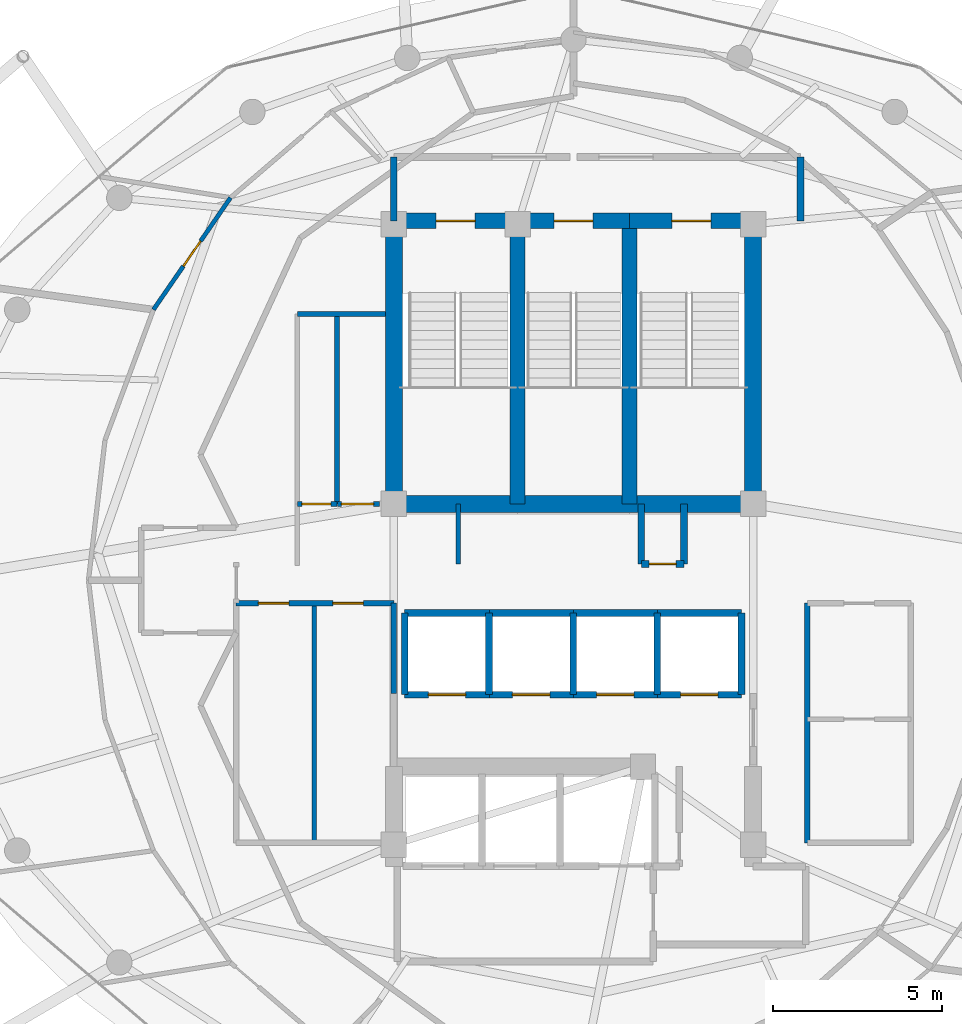
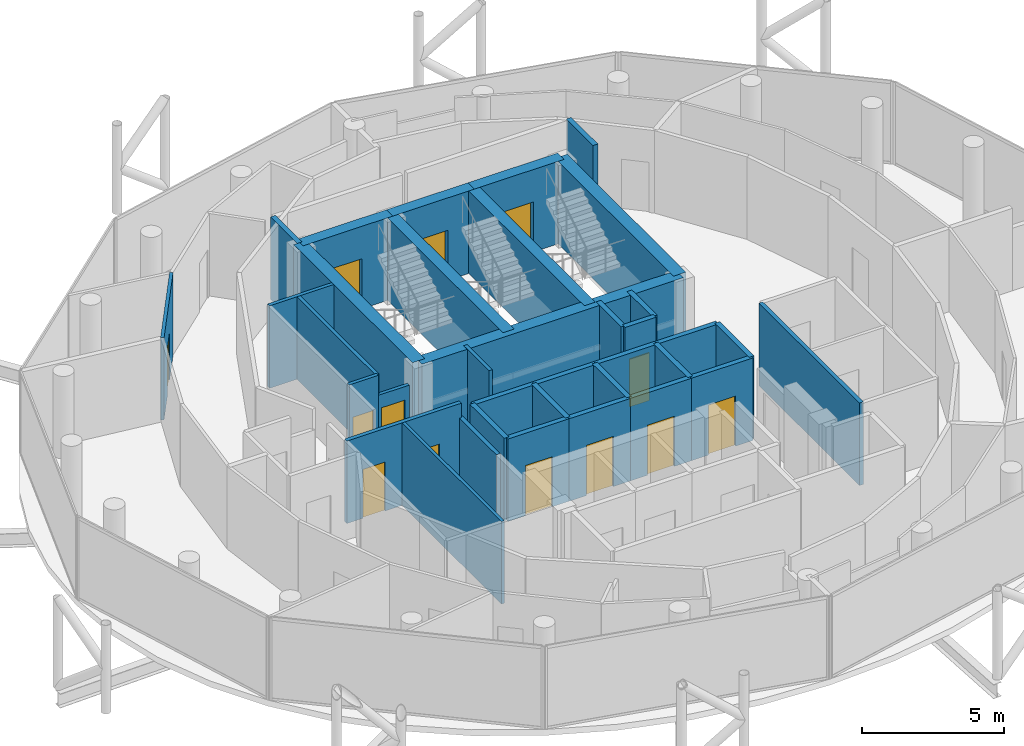
# One storey, part 21 of 24: 36 walls, 13 doors, 13 openings.
"""IFC4 building model written with IfcOpenShell, lengths in metres."""

from ifc_helpers import new_model, si_unit, direction, frame, frame_2d, origin, place, context, subcontext, project, spatial, rectangle, extrude, material, layer, layer_set, type_object, element, fill, save


model = new_model("IFC4")

# Units and contexts
model_context = context("Model", 3, precision=1e-05, world=origin(), true_north=direction((0.0, 1.0)))
body_context = subcontext(model_context, "Body", "Model", "MODEL_VIEW")
ifc_project = project(units=[si_unit("LENGTHUNIT", "METRE"), si_unit("AREAUNIT", "SQUARE_METRE"), si_unit("VOLUMEUNIT", "CUBIC_METRE"), si_unit("PLANEANGLEUNIT", "RADIAN"), si_unit("MASSUNIT", "GRAM", prefix="KILO")], contexts=[model_context])

# Site, building, storey
site_placement = place(None, origin())
site = spatial("IfcSite", under=ifc_project, at=site_placement, CompositionType="ELEMENT")
building_placement = place(site_placement, origin())
building = spatial("IfcBuilding", under=site, at=building_placement, Name="Nuhasar Tower", CompositionType="ELEMENT")
storey_placement = place(building_placement, frame((0.0, 0.0, 267.0)))
storey = spatial("IfcBuildingStorey", under=building, at=storey_placement, Name="L66", CompositionType="ELEMENT", Elevation=267.0)

# Wall, opening, door
ifc_material_1 = material(Name="Concrete C50/60", Category="concrete")
ifc_layer_1 = layer(ifc_material_1, 0.449951171875)
ifc_layer_set_1 = layer_set([ifc_layer_1], Name="Concrete C50/60")
wall_type_1 = type_object("IfcWallType", Name="WL-CORE-450", PredefinedType="SHEAR", material=ifc_layer_set_1)
wall_1_placement = place(storey_placement, frame((37.35009765625, 37.39990234375, 0.0), z_axis=(0.0, 0.0, 1.0), x_axis=(-1.0, 0.0, 0.0)))
wall_1 = element("IfcWall", 1, at=wall_1_placement, inside=storey, type_object=wall_type_1, Name="L66 Stairwell Shear Wall ST01-N", PredefinedType="SHEAR", context=body_context, shape_type="SweptSolid", body=[
    extrude(rectangle(XDim=3.650146484375, YDim=0.449951171875, at=frame_2d((1.8251953125, 0.0))), origin(), (0.0, 0.0, 1.0), 3.5400390625),
])
opening_1_placement = place(wall_1_placement, frame((1.25, 0.0, 0.0)))
opening_1 = element("IfcOpeningElement", 2, at=opening_1_placement, cuts=wall_1, Name="Opening DS-01", PredefinedType="OPENING", context=body_context, shape_type="SweptSolid", body=[
    extrude(rectangle(XDim=1.14990234375, YDim=2.14990234375, at=frame_2d((0.574951171875, 1.074951171875))), frame((0.0, 0.23486328125, 0.0), z_axis=(0.0, -1.0, 0.0), x_axis=(1.0, 0.0, 0.0)), (0.0, 0.0, 1.0), 0.469970703125),
])
ifc_material_2 = material(Name="Steel S355", Category="steel")
door_type_1 = type_object("IfcDoorType", Name="DR-STAIR-FD120-1150", OperationType="NOTDEFINED", PredefinedType="DOOR", material=ifc_material_2)
door_1_placement = place(opening_1_placement, origin())
door_1 = element("IfcDoor", 3, at=door_1_placement, inside=storey, type_object=door_type_1, Name="L66 Exit Stair ST-01 Door", OperationType="SINGLE_SWING_RIGHT", OverallHeight=2.14990234375, OverallWidth=1.14990234375, PredefinedType="DOOR", context=body_context, shape_type="SweptSolid", body=[
    extrude(rectangle(XDim=1.14990234375, YDim=2.14990234375, at=frame_2d((0.574951171875, 1.074951171875))), frame((0.0, 0.02490234375, 0.0), z_axis=(0.0, -1.0, 0.0), x_axis=(1.0, 0.0, 0.0)), (0.0, 0.0, 1.0), 0.050048828125),
])
fill(opening_1, door_1)

# Wall
wall_2_placement = place(storey_placement, frame((37.35009765625, 29.050048828125, 0.0), z_axis=(0.0, 0.0, 1.0), x_axis=(0.0, 1.0, 0.0)))
element("IfcWall", 4, at=wall_2_placement, inside=storey, type_object=wall_type_1, Name="L66 Stairwell Shear Wall ST01-E", PredefinedType="SHEAR", context=body_context, shape_type="SweptSolid", body=[
    extrude(rectangle(XDim=8.349853515625, YDim=0.449951171875, at=frame_2d((4.1748046875, 0.0))), origin(), (0.0, 0.0, 1.0), 3.5400390625),
])

# Wall, opening, door
wall_3_placement = place(storey_placement, frame((40.64990234375, 37.39990234375, 0.0), z_axis=(0.0, 0.0, 1.0), x_axis=(-1.0, 0.0, 0.0)))
wall_3 = element("IfcWall", 5, at=wall_3_placement, inside=storey, type_object=wall_type_1, Name="L66 Stairwell Shear Wall ST03-N", PredefinedType="SHEAR", context=body_context, shape_type="SweptSolid", body=[
    extrude(rectangle(XDim=3.2998046875, YDim=0.449951171875, at=frame_2d((1.64990234375, 0.0))), origin(), (0.0, 0.0, 1.0), 3.5400390625),
])
opening_2_placement = place(wall_3_placement, frame((1.074951171875, 0.0, 0.0)))
opening_2 = element("IfcOpeningElement", 6, at=opening_2_placement, cuts=wall_3, Name="Opening DS-01", PredefinedType="OPENING", context=body_context, shape_type="SweptSolid", body=[
    extrude(rectangle(XDim=1.14990234375, YDim=2.14990234375, at=frame_2d((0.574951171875, 1.074951171875))), frame((0.0, 0.23486328125, 0.0), z_axis=(0.0, -1.0, 0.0), x_axis=(1.0, 0.0, 0.0)), (0.0, 0.0, 1.0), 0.469970703125),
])
door_2_placement = place(opening_2_placement, origin())
door_2 = element("IfcDoor", 7, at=door_2_placement, inside=storey, type_object=door_type_1, Name="L66 Exit Stair ST-03 Door", OperationType="SINGLE_SWING_RIGHT", OverallHeight=2.14990234375, OverallWidth=1.14990234375, PredefinedType="DOOR", context=body_context, shape_type="SweptSolid", body=[
    extrude(rectangle(XDim=1.14990234375, YDim=2.14990234375, at=frame_2d((0.574951171875, 1.074951171875))), frame((0.0, 0.02490234375, 0.0), z_axis=(0.0, -1.0, 0.0), x_axis=(1.0, 0.0, 0.0)), (0.0, 0.0, 1.0), 0.050048828125),
])
fill(opening_2, door_2)

# Wall
wall_4_placement = place(storey_placement, frame((40.64990234375, 29.050048828125, 0.0), z_axis=(0.0, 0.0, 1.0), x_axis=(0.0, 1.0, 0.0)))
element("IfcWall", 8, at=wall_4_placement, inside=storey, type_object=wall_type_1, Name="L66 Stairwell Shear Wall ST03-E", PredefinedType="SHEAR", context=body_context, shape_type="SweptSolid", body=[
    extrude(rectangle(XDim=8.349853515625, YDim=0.449951171875, at=frame_2d((4.1748046875, 0.0))), origin(), (0.0, 0.0, 1.0), 3.5400390625),
])

# Wall, opening, door
wall_5_placement = place(storey_placement, frame((44.300048828125, 37.39990234375, 0.0), z_axis=(0.0, 0.0, 1.0), x_axis=(-1.0, 0.0, 0.0)))
wall_5 = element("IfcWall", 9, at=wall_5_placement, inside=storey, type_object=wall_type_1, Name="L66 Stairwell Shear Wall ST02-N", PredefinedType="SHEAR", context=body_context, shape_type="SweptSolid", body=[
    extrude(rectangle(XDim=3.650146484375, YDim=0.449951171875, at=frame_2d((1.8251953125, 0.0))), origin(), (0.0, 0.0, 1.0), 3.5400390625),
])
opening_3_placement = place(wall_5_placement, frame((1.25, 0.0, 0.0)))
opening_3 = element("IfcOpeningElement", 10, at=opening_3_placement, cuts=wall_5, Name="Opening DS-01", PredefinedType="OPENING", context=body_context, shape_type="SweptSolid", body=[
    extrude(rectangle(XDim=1.14990234375, YDim=2.14990234375, at=frame_2d((0.574951171875, 1.074951171875))), frame((0.0, 0.23486328125, 0.0), z_axis=(0.0, -1.0, 0.0), x_axis=(1.0, 0.0, 0.0)), (0.0, 0.0, 1.0), 0.469970703125),
])
door_3_placement = place(opening_3_placement, origin())
door_3 = element("IfcDoor", 11, at=door_3_placement, inside=storey, type_object=door_type_1, Name="L66 Exit Stair ST-02 Door", OperationType="SINGLE_SWING_LEFT", OverallHeight=2.14990234375, OverallWidth=1.14990234375, PredefinedType="DOOR", context=body_context, shape_type="SweptSolid", body=[
    extrude(rectangle(XDim=1.14990234375, YDim=2.14990234375, at=frame_2d((0.574951171875, 1.074951171875))), frame((0.0, 0.02490234375, 0.0), z_axis=(0.0, -1.0, 0.0), x_axis=(1.0, 0.0, 0.0)), (0.0, 0.0, 1.0), 0.050048828125),
])
fill(opening_3, door_3)

# Walls
ifc_layer_2 = layer(ifc_material_1, 0.5)
ifc_layer_set_2 = layer_set([ifc_layer_2], Name="Concrete C50/60")
wall_type_2 = type_object("IfcWallType", Name="WL-CORE-500", PredefinedType="SHEAR", material=ifc_layer_set_2)
for number, where, z_axis, x_axis, name in (
    (12, (33.699951171875, 29.050048828125, 0.0), (0.0, 0.0, 1.0), (0.0, 1.0, 0.0), "L66 Core Shear Wall CW-NW CW-500"),
    (13, (44.300048828125, 29.050048828125, 0.0), (0.0, 0.0, 1.0), (0.0, 1.0, 0.0), "L66 Core Shear Wall CW-NE CW-500"),
):
    element("IfcWall", number, at=place(storey_placement, frame(where, z_axis=z_axis, x_axis=x_axis)), inside=storey, type_object=wall_type_2, Name=name, PredefinedType="SHEAR", context=body_context, shape_type="SweptSolid", body=[
        extrude(rectangle(XDim=8.349853515625, YDim=0.5, at=frame_2d((4.1748046875, 0.0))), origin(), (0.0, 0.0, 1.0), 3.5400390625),
    ])
wall_6_placement = place(storey_placement, frame((33.699951171875, 29.050048828125, 0.0), z_axis=(0.0, 0.0, 1.0), x_axis=(1.0, 0.0, 0.0)))
element("IfcWall", 14, at=wall_6_placement, inside=storey, type_object=wall_type_2, Name="L66 Core Shear Wall CW-N1 CW-500", PredefinedType="SHEAR", context=body_context, shape_type="SweptSolid", body=[
    extrude(rectangle(XDim=10.60009765625, YDim=0.5, at=frame_2d((5.300048828125, 0.0))), origin(), (0.0, 0.0, 1.0), 3.5400390625),
])
ifc_material_3 = material(Name="Gypsum Board", Category="gypsum")
ifc_layer_3 = layer(ifc_material_3, 0.159912109375)
ifc_layer_set_3 = layer_set([ifc_layer_3], Name="Gypsum Board")
wall_type_3 = type_object("IfcWallType", Name="WL-CORR-160", PredefinedType="PARTITIONING", material=ifc_layer_set_3)
wall_7_placement = place(storey_placement, frame((33.699951171875, 23.449951171875, 0.0), z_axis=(0.0, 0.0, 1.0), x_axis=(0.0, 1.0, 0.0)))
element("IfcWall", 15, at=wall_7_placement, inside=storey, type_object=wall_type_3, Name="L66 Interior Partition RECL-B1-E", PredefinedType="PARTITIONING", context=body_context, shape_type="SweptSolid", body=[
    extrude(rectangle(XDim=2.670166015625, YDim=0.159912109375, at=frame_2d((1.3349609375, 0.0))), origin(), (0.0, 0.0, 1.0), 2.925048828125),
])

# Wall, openings, doors
wall_8_placement = place(storey_placement, frame((33.699951171875, 26.1201171875, 0.0), z_axis=(0.0, 0.0, 1.0), x_axis=(-1.0, 0.0, 0.0)))
wall_8 = element("IfcWall", 16, at=wall_8_placement, inside=storey, type_object=wall_type_3, Name="L66 Interior Partition RECL-B1-N", PredefinedType="PARTITIONING", context=body_context, shape_type="SweptSolid", body=[
    extrude(rectangle(XDim=4.64990234375, YDim=0.159912109375, at=frame_2d((2.324951171875, 0.0))), origin(), (0.0, 0.0, 1.0), 3.5400390625),
])
opening_4_placement = place(wall_8_placement, frame((3.10009765625, 0.0, 0.0)))
opening_4 = element("IfcOpeningElement", 17, at=opening_4_placement, cuts=wall_8, Name="Opening DR-01", PredefinedType="OPENING", context=body_context, shape_type="SweptSolid", body=[
    extrude(rectangle(XDim=0.89990234375, YDim=2.10009765625, at=frame_2d((0.449951171875, 1.050048828125))), frame((0.0, 0.08984375, 0.0), z_axis=(0.0, -1.0, 0.0), x_axis=(1.0, 0.0, 0.0)), (0.0, 0.0, 1.0), 0.179931640625),
])
opening_5_placement = place(wall_8_placement, frame((0.89990234375, 0.0, 0.0)))
opening_5 = element("IfcOpeningElement", 18, at=opening_5_placement, cuts=wall_8, Name="Opening DR-01", PredefinedType="OPENING", context=body_context, shape_type="SweptSolid", body=[
    extrude(rectangle(XDim=0.89990234375, YDim=2.10009765625, at=frame_2d((0.449951171875, 1.050048828125))), frame((0.0, 0.08984375, 0.0), z_axis=(0.0, -1.0, 0.0), x_axis=(1.0, 0.0, 0.0)), (0.0, 0.0, 1.0), 0.179931640625),
])
ifc_material_4 = material(Name="Timber Oak", Category="wood")
door_type_2 = type_object("IfcDoorType", Name="DR-ROOM-900", OperationType="NOTDEFINED", PredefinedType="DOOR", material=ifc_material_4)
door_4_placement = place(opening_4_placement, origin())
door_4 = element("IfcDoor", 19, at=door_4_placement, inside=storey, type_object=door_type_2, Name="L66 Housekeeping Door", OperationType="SINGLE_SWING_RIGHT", OverallHeight=2.10009765625, OverallWidth=0.89990234375, PredefinedType="DOOR", context=body_context, shape_type="SweptSolid", body=[
    extrude(rectangle(XDim=0.89990234375, YDim=2.10009765625, at=frame_2d((0.449951171875, 1.050048828125))), frame((0.0, 0.02490234375, 0.0), z_axis=(0.0, -1.0, 0.0), x_axis=(1.0, 0.0, 0.0)), (0.0, 0.0, 1.0), 0.050048828125),
])
fill(opening_4, door_4)
door_5_placement = place(opening_5_placement, origin())
door_5 = element("IfcDoor", 20, at=door_5_placement, inside=storey, type_object=door_type_2, Name="L66 Valet Pantry Door", OperationType="SINGLE_SWING_LEFT", OverallHeight=2.10009765625, OverallWidth=0.89990234375, PredefinedType="DOOR", context=body_context, shape_type="SweptSolid", body=[
    extrude(rectangle(XDim=0.89990234375, YDim=2.10009765625, at=frame_2d((0.449951171875, 1.050048828125))), frame((0.0, 0.02490234375, 0.0), z_axis=(0.0, -1.0, 0.0), x_axis=(1.0, 0.0, 0.0)), (0.0, 0.0, 1.0), 0.050048828125),
])
fill(opening_5, door_5)

# Walls
wall_9_placement = place(storey_placement, frame((45.89990234375, 19.050048828125, 0.0), z_axis=(0.0, 0.0, 1.0), x_axis=(0.0, 1.0, 0.0)))
element("IfcWall", 21, at=wall_9_placement, inside=storey, type_object=wall_type_3, Name="L66 Interior Partition RECL-B2-W", PredefinedType="PARTITIONING", context=body_context, shape_type="SweptSolid", body=[
    extrude(rectangle(XDim=7.070068359375, YDim=0.159912109375, at=frame_2d((3.53515625, 0.0))), origin(), (0.0, 0.0, 1.0), 3.5400390625),
])
ifc_material_5 = material(Name="Concrete C45/55", Category="concrete")
ifc_layer_4 = layer(ifc_material_5, 0.199951171875)
ifc_layer_set_4 = layer_set([ifc_layer_4], Name="Concrete C45/55")
wall_type_4 = type_object("IfcWallType", Name="WL-LOBBY-200", PredefinedType="SOLIDWALL", material=ifc_layer_set_4)
for number, where, z_axis, x_axis, name in (
    (22, (33.699951171875, 37.39990234375, 0.0), (0.0, 0.0, 1.0), (0.0, 1.0, 0.0), "L66 Interior Partition NSL-W"),
    (23, (45.699951171875, 37.39990234375, 0.0), (0.0, 0.0, 1.0), (0.0, 1.0, 0.0), "L66 Interior Partition NSL-E"),
):
    element("IfcWall", number, at=place(storey_placement, frame(where, z_axis=z_axis, x_axis=x_axis)), inside=storey, type_object=wall_type_4, Name=name, PredefinedType="SOLIDWALL", context=body_context, shape_type="SweptSolid", body=[
        extrude(rectangle(XDim=1.880126953125, YDim=0.199951171875, at=frame_2d((0.93994140625, 0.0))), origin(), (0.0, 0.0, 1.0), 3.5400390625),
    ])
ifc_layer_5 = layer(ifc_material_3, 0.125)
ifc_layer_set_5 = layer_set([ifc_layer_5], Name="Gypsum Board")
wall_type_5 = type_object("IfcWallType", Name="WL-PART-125", PredefinedType="PARTITIONING", material=ifc_layer_set_5)
wall_10_placement = place(storey_placement, frame((31.35009765625, 19.050048828125, 0.0), z_axis=(0.0, 0.0, 1.0), x_axis=(0.0, 1.0, 0.0)))
element("IfcWall", 24, at=wall_10_placement, inside=storey, type_object=wall_type_5, Name="L66 Interior Partition RECL-B1-V", PredefinedType="PARTITIONING", context=body_context, shape_type="SweptSolid", body=[
    extrude(rectangle(XDim=7.070068359375, YDim=0.125, at=frame_2d((3.53515625, 0.0))), origin(), (0.0, 0.0, 1.0), 3.5400390625),
])

# Wall, opening, door
wall_11_placement = place(storey_placement, frame((26.60693359375, 34.780029296875, 0.0), z_axis=(0.0, 0.0, 1.0), x_axis=(0.566872278325, 0.82380569315, 0.0)))
wall_11 = element("IfcWall", 25, at=wall_11_placement, inside=storey, type_object=wall_type_5, Name="L66 Interior Partition USM-1-D-18", PredefinedType="PARTITIONING", context=body_context, shape_type="SweptSolid", body=[
    extrude(rectangle(XDim=4.01171875, YDim=0.125, at=frame_2d((2.005859375, 0.0))), origin(), (0.0, 0.0, 1.0), 3.5400390625),
])
opening_6_placement = place(wall_11_placement, frame((1.555908203125, 0.0, 0.0)))
opening_6 = element("IfcOpeningElement", 26, at=opening_6_placement, cuts=wall_11, Name="Opening DR-01", PredefinedType="OPENING", context=body_context, shape_type="SweptSolid", body=[
    extrude(rectangle(XDim=0.89990234375, YDim=2.10009765625, at=frame_2d((0.449951171875, 1.050048828125))), frame((0.0, 0.072509765625, 0.0), z_axis=(0.0, -1.0, 0.0), x_axis=(1.0, 0.0, 0.0)), (0.0, 0.0, 1.0), 0.14501953125),
])
door_6_placement = place(opening_6_placement, origin())
door_6 = element("IfcDoor", 27, at=door_6_placement, inside=storey, type_object=door_type_2, Name="L66 North-West Sky Home Living Door", OperationType="SINGLE_SWING_RIGHT", OverallHeight=2.10009765625, OverallWidth=0.89990234375, PredefinedType="DOOR", context=body_context, shape_type="SweptSolid", body=[
    extrude(rectangle(XDim=0.89990234375, YDim=2.10009765625, at=frame_2d((0.449951171875, 1.050048828125))), frame((0.0, 0.02490234375, 0.0), z_axis=(0.0, -1.0, 0.0), x_axis=(1.0, 0.0, 0.0)), (0.0, 0.0, 1.0), 0.050048828125),
])
fill(opening_6, door_6)

# Walls
ifc_layer_6 = layer(ifc_material_5, 0.199951171875)
ifc_layer_set_6 = layer_set([ifc_layer_6], Name="Concrete C45/55")
wall_type_6 = type_object("IfcWallType", Name="WL-SHAFT-200", PredefinedType="SOLIDWALL", material=ifc_layer_set_6)
for number, where, z_axis, x_axis, name in (
    (28, (41.0, 27.280029296875, 0.0), (0.0, 0.0, 1.0), (0.0, 1.0, 0.0), "L66 Interior Partition RSRN-W"),
    (29, (42.260009765625, 27.280029296875, 0.0), (0.0, 0.0, 1.0), (0.0, 1.0, 0.0), "L66 Interior Partition RSRN-E"),
):
    element("IfcWall", number, at=place(storey_placement, frame(where, z_axis=z_axis, x_axis=x_axis)), inside=storey, type_object=wall_type_6, Name=name, PredefinedType="SOLIDWALL", context=body_context, shape_type="SweptSolid", body=[
        extrude(rectangle(XDim=1.77001953125, YDim=0.199951171875, at=frame_2d((0.885009765625, 0.0))), origin(), (0.0, 0.0, 1.0), 3.5400390625),
    ])

# Wall, opening, door
wall_12_placement = place(storey_placement, frame((41.0, 27.280029296875, 0.0), z_axis=(0.0, 0.0, 1.0), x_axis=(1.0, 0.0, 0.0)))
wall_12 = element("IfcWall", 30, at=wall_12_placement, inside=storey, type_object=wall_type_6, Name="L66 Interior Partition RSRN-S", PredefinedType="SOLIDWALL", context=body_context, shape_type="SweptSolid", body=[
    extrude(rectangle(XDim=1.260009765625, YDim=0.199951171875, at=frame_2d((0.6298828125, 0.0))), origin(), (0.0, 0.0, 1.0), 3.5400390625),
])
opening_7_placement = place(wall_12_placement, frame((0.22998046875, 0.0, 0.0)))
opening_7 = element("IfcOpeningElement", 31, at=opening_7_placement, cuts=wall_12, Name="Opening DM-01", PredefinedType="OPENING", context=body_context, shape_type="SweptSolid", body=[
    extrude(rectangle(XDim=0.800048828125, YDim=2.050048828125, at=frame_2d((0.39990234375, 1.02490234375))), frame((0.0, 0.10986328125, 0.0), z_axis=(0.0, -1.0, 0.0), x_axis=(1.0, 0.0, 0.0)), (0.0, 0.0, 1.0), 0.219970703125),
])
door_type_3 = type_object("IfcDoorType", Name="DR-RISER-FD60-800", OperationType="NOTDEFINED", PredefinedType="DOOR", material=ifc_material_2)
door_7_placement = place(opening_7_placement, origin())
door_7 = element("IfcDoor", 32, at=door_7_placement, inside=storey, type_object=door_type_3, Name="L66 North Smoke Riser Door", OperationType="SINGLE_SWING_RIGHT", OverallHeight=2.050048828125, OverallWidth=0.800048828125, PredefinedType="DOOR", context=body_context, shape_type="SweptSolid", body=[
    extrude(rectangle(XDim=0.800048828125, YDim=2.050048828125, at=frame_2d((0.39990234375, 1.02490234375))), frame((0.0, 0.02490234375, 0.0), z_axis=(0.0, -1.0, 0.0), x_axis=(1.0, 0.0, 0.0)), (0.0, 0.0, 1.0), 0.050048828125),
])
fill(opening_7, door_7)

wall_13_placement = place(storey_placement, frame((34.02001953125, 23.419921875, 0.0), z_axis=(0.0, 0.0, 1.0), x_axis=(1.0, 0.0, 0.0)))
wall_13 = element("IfcWall", 33, at=wall_13_placement, inside=storey, type_object=wall_type_6, Name="L66 Interior Partition SHF-PL-H01-S", PredefinedType="SOLIDWALL", context=body_context, shape_type="SweptSolid", body=[
    extrude(rectangle(XDim=2.5, YDim=0.199951171875, at=frame_2d((1.25, 0.0))), origin(), (0.0, 0.0, 1.0), 3.5400390625),
])
opening_8_placement = place(wall_13_placement, frame((0.699951171875, 0.0, 0.0)))
opening_8 = element("IfcOpeningElement", 34, at=opening_8_placement, cuts=wall_13, Name="Opening LD-H01", PredefinedType="OPENING", context=body_context, shape_type="SweptSolid", body=[
    extrude(rectangle(XDim=1.10009765625, YDim=2.14990234375, at=frame_2d((0.550048828125, 1.074951171875))), frame((0.0, 0.10986328125, 0.0), z_axis=(0.0, -1.0, 0.0), x_axis=(1.0, 0.0, 0.0)), (0.0, 0.0, 1.0), 0.219970703125),
])
ifc_material_6 = material(Name="Stainless Steel 316L", Category="steel")
door_type_4 = type_object("IfcDoorType", Name="LD-PAX-1100", OperationType="DOUBLE_DOOR_SLIDING", PredefinedType="DOOR", material=ifc_material_6)
door_8_placement = place(opening_8_placement, origin())
door_8 = element("IfcDoor", 35, at=door_8_placement, inside=storey, type_object=door_type_4, Name="L66 Lift Landing Door PL-H01", OperationType="DOUBLE_DOOR_SLIDING", OverallHeight=2.14990234375, OverallWidth=1.10009765625, PredefinedType="DOOR", context=body_context, shape_type="SweptSolid", body=[
    extrude(rectangle(XDim=1.10009765625, YDim=2.14990234375, at=frame_2d((0.550048828125, 1.074951171875))), frame((0.0, 0.02490234375, 0.0), z_axis=(0.0, -1.0, 0.0), x_axis=(1.0, 0.0, 0.0)), (0.0, 0.0, 1.0), 0.050048828125),
])
fill(opening_8, door_8)

# Walls
wall_14_placement = place(storey_placement, frame((34.02001953125, 25.830078125, 0.0), z_axis=(0.0, 0.0, 1.0), x_axis=(1.0, 0.0, 0.0)))
element("IfcWall", 36, at=wall_14_placement, inside=storey, type_object=wall_type_6, Name="L66 Interior Partition SHF-PL-H01-N", PredefinedType="SOLIDWALL", context=body_context, shape_type="SweptSolid", body=[
    extrude(rectangle(XDim=2.5, YDim=0.199951171875, at=frame_2d((1.25, 0.0))), origin(), (0.0, 0.0, 1.0), 3.5400390625),
])
for number, where, z_axis, x_axis, name in (
    (37, (34.02001953125, 23.419921875, 0.0), (0.0, 0.0, 1.0), (0.0, 1.0, 0.0), "L66 Interior Partition SHF-PL-H01-W"),
    (38, (36.510009765625, 23.419921875, 0.0), (0.0, 0.0, 1.0), (0.0, 1.0, 0.0), "L66 Interior Partition SHF-PL-H01-E"),
):
    element("IfcWall", number, at=place(storey_placement, frame(where, z_axis=z_axis, x_axis=x_axis)), inside=storey, type_object=wall_type_6, Name=name, PredefinedType="SOLIDWALL", context=body_context, shape_type="SweptSolid", body=[
        extrude(rectangle(XDim=2.41015625, YDim=0.199951171875, at=frame_2d((1.205078125, 0.0))), origin(), (0.0, 0.0, 1.0), 3.5400390625),
    ])

# Wall, opening, door
wall_15_placement = place(storey_placement, frame((36.5, 23.419921875, 0.0), z_axis=(0.0, 0.0, 1.0), x_axis=(1.0, 0.0, 0.0)))
wall_15 = element("IfcWall", 39, at=wall_15_placement, inside=storey, type_object=wall_type_6, Name="L66 Interior Partition SHF-PL-H02-S", PredefinedType="SOLIDWALL", context=body_context, shape_type="SweptSolid", body=[
    extrude(rectangle(XDim=2.5, YDim=0.199951171875, at=frame_2d((1.25, 0.0))), origin(), (0.0, 0.0, 1.0), 3.5400390625),
])
opening_9_placement = place(wall_15_placement, frame((0.699951171875, 0.0, 0.0)))
opening_9 = element("IfcOpeningElement", 40, at=opening_9_placement, cuts=wall_15, Name="Opening LD-H02", PredefinedType="OPENING", context=body_context, shape_type="SweptSolid", body=[
    extrude(rectangle(XDim=1.10009765625, YDim=2.14990234375, at=frame_2d((0.550048828125, 1.074951171875))), frame((0.0, 0.10986328125, 0.0), z_axis=(0.0, -1.0, 0.0), x_axis=(1.0, 0.0, 0.0)), (0.0, 0.0, 1.0), 0.219970703125),
])
door_9_placement = place(opening_9_placement, origin())
door_9 = element("IfcDoor", 41, at=door_9_placement, inside=storey, type_object=door_type_4, Name="L66 Lift Landing Door PL-H02", OperationType="DOUBLE_DOOR_SLIDING", OverallHeight=2.14990234375, OverallWidth=1.10009765625, PredefinedType="DOOR", context=body_context, shape_type="SweptSolid", body=[
    extrude(rectangle(XDim=1.10009765625, YDim=2.14990234375, at=frame_2d((0.550048828125, 1.074951171875))), frame((0.0, 0.02490234375, 0.0), z_axis=(0.0, -1.0, 0.0), x_axis=(1.0, 0.0, 0.0)), (0.0, 0.0, 1.0), 0.050048828125),
])
fill(opening_9, door_9)

# Walls
wall_16_placement = place(storey_placement, frame((36.5, 25.830078125, 0.0), z_axis=(0.0, 0.0, 1.0), x_axis=(1.0, 0.0, 0.0)))
element("IfcWall", 42, at=wall_16_placement, inside=storey, type_object=wall_type_6, Name="L66 Interior Partition SHF-PL-H02-N", PredefinedType="SOLIDWALL", context=body_context, shape_type="SweptSolid", body=[
    extrude(rectangle(XDim=2.5, YDim=0.199951171875, at=frame_2d((1.25, 0.0))), origin(), (0.0, 0.0, 1.0), 3.5400390625),
])
wall_17_placement = place(storey_placement, frame((38.989990234375, 23.419921875, 0.0), z_axis=(0.0, 0.0, 1.0), x_axis=(0.0, 1.0, 0.0)))
element("IfcWall", 43, at=wall_17_placement, inside=storey, type_object=wall_type_6, Name="L66 Interior Partition SHF-PL-H02-E", PredefinedType="SOLIDWALL", context=body_context, shape_type="SweptSolid", body=[
    extrude(rectangle(XDim=2.41015625, YDim=0.199951171875, at=frame_2d((1.205078125, 0.0))), origin(), (0.0, 0.0, 1.0), 3.5400390625),
])

# Wall, opening, door
wall_18_placement = place(storey_placement, frame((38.97998046875, 23.419921875, 0.0), z_axis=(0.0, 0.0, 1.0), x_axis=(1.0, 0.0, 0.0)))
wall_18 = element("IfcWall", 44, at=wall_18_placement, inside=storey, type_object=wall_type_6, Name="L66 Interior Partition SHF-PL-H03-S", PredefinedType="SOLIDWALL", context=body_context, shape_type="SweptSolid", body=[
    extrude(rectangle(XDim=2.5, YDim=0.199951171875, at=frame_2d((1.25, 0.0))), origin(), (0.0, 0.0, 1.0), 3.5400390625),
])
opening_10_placement = place(wall_18_placement, frame((0.699951171875, 0.0, 0.0)))
opening_10 = element("IfcOpeningElement", 45, at=opening_10_placement, cuts=wall_18, Name="Opening LD-H03", PredefinedType="OPENING", context=body_context, shape_type="SweptSolid", body=[
    extrude(rectangle(XDim=1.10009765625, YDim=2.14990234375, at=frame_2d((0.550048828125, 1.074951171875))), frame((0.0, 0.10986328125, 0.0), z_axis=(0.0, -1.0, 0.0), x_axis=(1.0, 0.0, 0.0)), (0.0, 0.0, 1.0), 0.219970703125),
])
door_10_placement = place(opening_10_placement, origin())
door_10 = element("IfcDoor", 46, at=door_10_placement, inside=storey, type_object=door_type_4, Name="L66 Lift Landing Door PL-H03", OperationType="DOUBLE_DOOR_SLIDING", OverallHeight=2.14990234375, OverallWidth=1.10009765625, PredefinedType="DOOR", context=body_context, shape_type="SweptSolid", body=[
    extrude(rectangle(XDim=1.10009765625, YDim=2.14990234375, at=frame_2d((0.550048828125, 1.074951171875))), frame((0.0, 0.02490234375, 0.0), z_axis=(0.0, -1.0, 0.0), x_axis=(1.0, 0.0, 0.0)), (0.0, 0.0, 1.0), 0.050048828125),
])
fill(opening_10, door_10)

# Walls
wall_19_placement = place(storey_placement, frame((38.97998046875, 25.830078125, 0.0), z_axis=(0.0, 0.0, 1.0), x_axis=(1.0, 0.0, 0.0)))
element("IfcWall", 47, at=wall_19_placement, inside=storey, type_object=wall_type_6, Name="L66 Interior Partition SHF-PL-H03-N", PredefinedType="SOLIDWALL", context=body_context, shape_type="SweptSolid", body=[
    extrude(rectangle(XDim=2.5, YDim=0.199951171875, at=frame_2d((1.25, 0.0))), origin(), (0.0, 0.0, 1.0), 3.5400390625),
])
wall_20_placement = place(storey_placement, frame((41.469970703125, 23.419921875, 0.0), z_axis=(0.0, 0.0, 1.0), x_axis=(0.0, 1.0, 0.0)))
element("IfcWall", 48, at=wall_20_placement, inside=storey, type_object=wall_type_6, Name="L66 Interior Partition SHF-PL-H03-E", PredefinedType="SOLIDWALL", context=body_context, shape_type="SweptSolid", body=[
    extrude(rectangle(XDim=2.41015625, YDim=0.199951171875, at=frame_2d((1.205078125, 0.0))), origin(), (0.0, 0.0, 1.0), 3.5400390625),
])

# Wall, opening, door
wall_21_placement = place(storey_placement, frame((41.4599609375, 23.419921875, 0.0), z_axis=(0.0, 0.0, 1.0), x_axis=(1.0, 0.0, 0.0)))
wall_21 = element("IfcWall", 49, at=wall_21_placement, inside=storey, type_object=wall_type_6, Name="L66 Interior Partition SHF-PL-H04-S", PredefinedType="SOLIDWALL", context=body_context, shape_type="SweptSolid", body=[
    extrude(rectangle(XDim=2.5, YDim=0.199951171875, at=frame_2d((1.25, 0.0))), origin(), (0.0, 0.0, 1.0), 3.5400390625),
])
opening_11_placement = place(wall_21_placement, frame((0.699951171875, 0.0, 0.0)))
opening_11 = element("IfcOpeningElement", 50, at=opening_11_placement, cuts=wall_21, Name="Opening LD-H04", PredefinedType="OPENING", context=body_context, shape_type="SweptSolid", body=[
    extrude(rectangle(XDim=1.10009765625, YDim=2.14990234375, at=frame_2d((0.550048828125, 1.074951171875))), frame((0.0, 0.10986328125, 0.0), z_axis=(0.0, -1.0, 0.0), x_axis=(1.0, 0.0, 0.0)), (0.0, 0.0, 1.0), 0.219970703125),
])
door_11_placement = place(opening_11_placement, origin())
door_11 = element("IfcDoor", 51, at=door_11_placement, inside=storey, type_object=door_type_4, Name="L66 Lift Landing Door PL-H04", OperationType="DOUBLE_DOOR_SLIDING", OverallHeight=2.14990234375, OverallWidth=1.10009765625, PredefinedType="DOOR", context=body_context, shape_type="SweptSolid", body=[
    extrude(rectangle(XDim=1.10009765625, YDim=2.14990234375, at=frame_2d((0.550048828125, 1.074951171875))), frame((0.0, 0.02490234375, 0.0), z_axis=(0.0, -1.0, 0.0), x_axis=(1.0, 0.0, 0.0)), (0.0, 0.0, 1.0), 0.050048828125),
])
fill(opening_11, door_11)

# Walls
wall_22_placement = place(storey_placement, frame((41.4599609375, 25.830078125, 0.0), z_axis=(0.0, 0.0, 1.0), x_axis=(1.0, 0.0, 0.0)))
element("IfcWall", 52, at=wall_22_placement, inside=storey, type_object=wall_type_6, Name="L66 Interior Partition SHF-PL-H04-N", PredefinedType="SOLIDWALL", context=body_context, shape_type="SweptSolid", body=[
    extrude(rectangle(XDim=2.5, YDim=0.199951171875, at=frame_2d((1.25, 0.0))), origin(), (0.0, 0.0, 1.0), 3.5400390625),
])
wall_23_placement = place(storey_placement, frame((43.9599609375, 23.419921875, 0.0), z_axis=(0.0, 0.0, 1.0), x_axis=(0.0, 1.0, 0.0)))
element("IfcWall", 53, at=wall_23_placement, inside=storey, type_object=wall_type_6, Name="L66 Interior Partition SHF-PL-H04-E", PredefinedType="SOLIDWALL", context=body_context, shape_type="SweptSolid", body=[
    extrude(rectangle(XDim=2.41015625, YDim=0.199951171875, at=frame_2d((1.205078125, 0.0))), origin(), (0.0, 0.0, 1.0), 3.5400390625),
])
ifc_material_7 = material(Name="Concrete C40/50 precast", Category="concrete")
ifc_layer_7 = layer(ifc_material_7, 0.139892578125)
ifc_layer_set_7 = layer_set([ifc_layer_7], Name="Concrete C40/50 precast")
wall_type_7 = type_object("IfcWallType", Name="WL-WET-140", PredefinedType="PARTITIONING", material=ifc_layer_set_7)
wall_24_placement = place(storey_placement, frame((35.60009765625, 27.280029296875, 0.0), z_axis=(0.0, 0.0, 1.0), x_axis=(0.0, 1.0, 0.0)))
element("IfcWall", 54, at=wall_24_placement, inside=storey, type_object=wall_type_7, Name="L66 Interior Partition CSVC-W", PredefinedType="PARTITIONING", context=body_context, shape_type="SweptSolid", body=[
    extrude(rectangle(XDim=1.77001953125, YDim=0.139892578125, at=frame_2d((0.885009765625, 0.0))), origin(), (0.0, 0.0, 1.0), 3.5400390625),
])

# Wall, opening, door
wall_25_placement = place(storey_placement, frame((30.85009765625, 29.050048828125, 0.0), z_axis=(0.0, 0.0, 1.0), x_axis=(1.0, 0.0, 0.0)))
wall_25 = element("IfcWall", 55, at=wall_25_placement, inside=storey, type_object=wall_type_7, Name="L66 Interior Partition K2-NW-S", PredefinedType="PARTITIONING", context=body_context, shape_type="SweptSolid", body=[
    extrude(rectangle(XDim=1.179931640625, YDim=0.139892578125, at=frame_2d((0.58984375, 0.0))), origin(), (0.0, 0.0, 1.0), 3.5400390625),
])
opening_12_placement = place(wall_25_placement, frame((0.139892578125, 0.0, 0.0)))
opening_12 = element("IfcOpeningElement", 56, at=opening_12_placement, cuts=wall_25, Name="Opening DB-01", PredefinedType="OPENING", context=body_context, shape_type="SweptSolid", body=[
    extrude(rectangle(XDim=0.85009765625, YDim=2.10009765625, at=frame_2d((0.425048828125, 1.050048828125))), frame((0.0, 0.080078125, 0.0), z_axis=(0.0, -1.0, 0.0), x_axis=(1.0, 0.0, 0.0)), (0.0, 0.0, 1.0), 0.159912109375),
])
door_type_5 = type_object("IfcDoorType", Name="DR-BATH-850", OperationType="NOTDEFINED", PredefinedType="DOOR", material=ifc_material_4)
door_12_placement = place(opening_12_placement, origin())
door_12 = element("IfcDoor", 57, at=door_12_placement, inside=storey, type_object=door_type_5, Name="L66 NW Female WC Door", OperationType="SINGLE_SWING_LEFT", OverallHeight=2.10009765625, OverallWidth=0.85009765625, PredefinedType="DOOR", context=body_context, shape_type="SweptSolid", body=[
    extrude(rectangle(XDim=0.85009765625, YDim=2.10009765625, at=frame_2d((0.425048828125, 1.050048828125))), frame((0.0, 0.02490234375, 0.0), z_axis=(0.0, -1.0, 0.0), x_axis=(1.0, 0.0, 0.0)), (0.0, 0.0, 1.0), 0.050048828125),
])
fill(opening_12, door_12)

wall_26_placement = place(storey_placement, frame((32.030029296875, 29.050048828125, 0.0), z_axis=(0.0, 0.0, 1.0), x_axis=(1.0, 0.0, 0.0)))
wall_26 = element("IfcWall", 58, at=wall_26_placement, inside=storey, type_object=wall_type_7, Name="L66 Interior Partition K2-NW-S", PredefinedType="PARTITIONING", context=body_context, shape_type="SweptSolid", body=[
    extrude(rectangle(XDim=1.25, YDim=0.139892578125, at=frame_2d((0.625, 0.0))), origin(), (0.0, 0.0, 1.0), 2.679931640625),
])
opening_13_placement = place(wall_26_placement, frame((0.1201171875, 0.0, 0.0)))
opening_13 = element("IfcOpeningElement", 59, at=opening_13_placement, cuts=wall_26, Name="Opening DA-01", PredefinedType="OPENING", context=body_context, shape_type="SweptSolid", body=[
    extrude(rectangle(XDim=0.949951171875, YDim=2.10009765625, at=frame_2d((0.47509765625, 1.050048828125))), frame((0.0, 0.080078125, 0.0), z_axis=(0.0, -1.0, 0.0), x_axis=(1.0, 0.0, 0.0)), (0.0, 0.0, 1.0), 0.159912109375),
])
door_type_6 = type_object("IfcDoorType", Name="DR-ACCWC-950", OperationType="NOTDEFINED", PredefinedType="DOOR", material=ifc_material_4)
door_13_placement = place(opening_13_placement, origin())
door_13 = element("IfcDoor", 60, at=door_13_placement, inside=storey, type_object=door_type_6, Name="L66 NW Accessible WC Door", OperationType="SINGLE_SWING_RIGHT", OverallHeight=2.10009765625, OverallWidth=0.949951171875, PredefinedType="DOOR", context=body_context, shape_type="SweptSolid", body=[
    extrude(rectangle(XDim=0.949951171875, YDim=2.10009765625, at=frame_2d((0.47509765625, 1.050048828125))), frame((0.0, 0.02490234375, 0.0), z_axis=(0.0, -1.0, 0.0), x_axis=(1.0, 0.0, 0.0)), (0.0, 0.0, 1.0), 0.050048828125),
])
fill(opening_13, door_13)

# Walls
wall_27_placement = place(storey_placement, frame((32.02001953125, 29.050048828125, 0.0), z_axis=(0.0, 0.0, 1.0), x_axis=(0.0, 1.0, 0.0)))
element("IfcWall", 61, at=wall_27_placement, inside=storey, type_object=wall_type_7, Name="L66 Interior Partition K2-NW-V", PredefinedType="PARTITIONING", context=body_context, shape_type="SweptSolid", body=[
    extrude(rectangle(XDim=5.599853515625, YDim=0.139892578125, at=frame_2d((2.7998046875, 0.0))), origin(), (0.0, 0.0, 1.0), 3.5400390625),
])
wall_28_placement = place(storey_placement, frame((30.85009765625, 34.64990234375, 0.0), z_axis=(0.0, 0.0, 1.0), x_axis=(1.0, 0.0, 0.0)))
element("IfcWall", 62, at=wall_28_placement, inside=storey, type_object=wall_type_7, Name="L66 Interior Partition K2-NW-N", PredefinedType="PARTITIONING", context=body_context, shape_type="SweptSolid", body=[
    extrude(rectangle(XDim=2.599853515625, YDim=0.139892578125, at=frame_2d((1.2998046875, 0.0))), origin(), (0.0, 0.0, 1.0), 3.5400390625),
])

save(model, "model.ifc")
